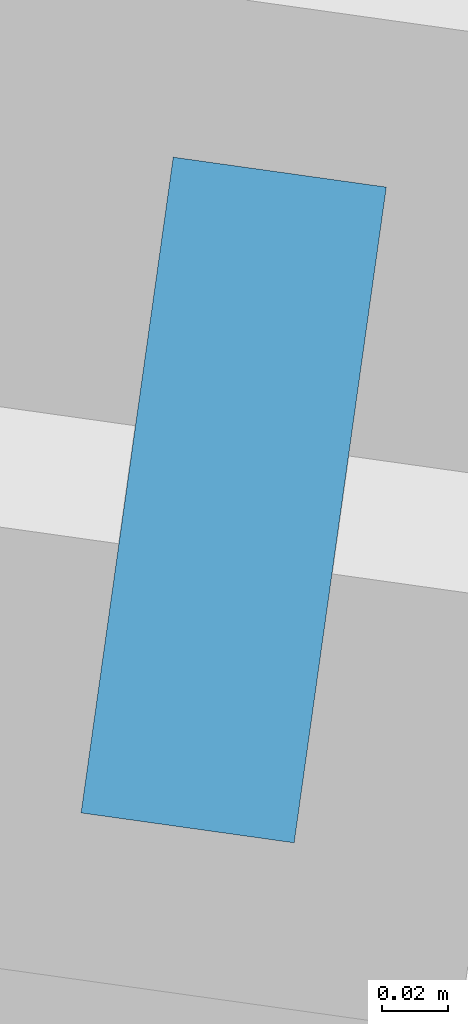
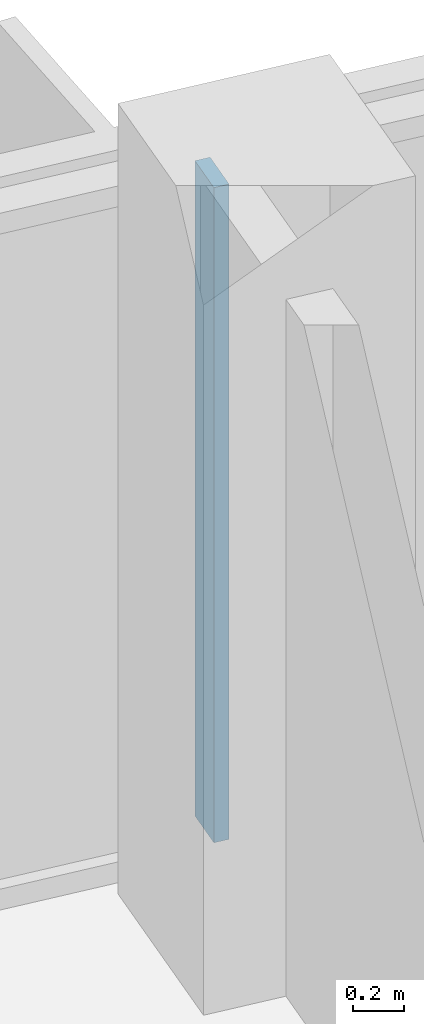
# One storey, part 3 of 26: 1 member, 1 element without a shape of its own.
"""IFC4 building model written with IfcOpenShell, lengths in metres."""

from ifc_helpers import new_model, si_unit, direction, frame, origin, origin_2d, place, context, subcontext, project, spatial, rectangle, extrude, material, material_profile, profile_set, type_object, element, aggregate, save


model = new_model("IFC4")

# Units and contexts
model_context = context("Model", 3, precision=1e-05, world=origin(), true_north=direction((0.0, 1.0)))
body_context = subcontext(model_context, "Body", "Model", "MODEL_VIEW")
ifc_project = project(units=[si_unit("LENGTHUNIT", "METRE"), si_unit("AREAUNIT", "SQUARE_METRE"), si_unit("VOLUMEUNIT", "CUBIC_METRE"), si_unit("PLANEANGLEUNIT", "RADIAN"), si_unit("MASSUNIT", "GRAM", prefix="KILO")], contexts=[model_context])

# Site, building, storey
site_placement = place(None, origin())
site = spatial("IfcSite", under=ifc_project, at=site_placement, CompositionType="ELEMENT")
building_placement = place(site_placement, origin())
building = spatial("IfcBuilding", under=site, at=building_placement, Name="Mirante Cascada Hotel Towers", CompositionType="ELEMENT")
storey_placement = place(building_placement, frame((0.0, 0.0, 98.7)))
storey = spatial("IfcBuildingStorey", under=building, at=storey_placement, Name="L21", CompositionType="ELEMENT", Elevation=98.7)

# Curtain wall, member
ifc_material_1 = material(Name="Aluminium mullion and transom frame with clear laminated glass", Category="aluminium")
curtain_wall_type = type_object("IfcCurtainWallType", Name="Ribbon curtain wall ECW1", PredefinedType="NOTDEFINED", material=ifc_material_1)
curtain_wall_placement = place(storey_placement, origin())
curtain_wall = element("IfcCurtainWall", 1, at=curtain_wall_placement, inside=storey, type_object=curtain_wall_type, Name="Front ribbon wall T1 L21", PredefinedType="NOTDEFINED")
ifc_material_2 = material(Name="Anodised aluminium extrusion", Category="aluminium")
ifc_material_profile = material_profile(ifc_material_2, rectangle(XDim=0.2, YDim=0.065, at=origin_2d()), Name="ECW1 MULLION 65x200")
ifc_profile_set = profile_set([ifc_material_profile], Name="Anodised aluminium extrusion")
member_type = type_object("IfcMemberType", Name="ECW1 mullion 65x200", PredefinedType="MULLION", material=ifc_profile_set)
member_placement = place(storey_placement, frame((-63.016, 21.6753, 0.1), z_axis=(0.0, 0.0, 1.0), x_axis=(0.1391731, 0.9902681, 0.0)))
member = element("IfcMember", 2, at=member_placement, type_object=member_type, Name="ECW1 mullion 6", PredefinedType="MULLION", context=body_context, shape_type="SweptSolid", body=[
    extrude(rectangle(XDim=0.2, YDim=0.065, at=origin_2d()), origin(), (0.0, 0.0, 1.0), 3.15),
])
aggregate(curtain_wall, [member])

save(model, "model.ifc")
